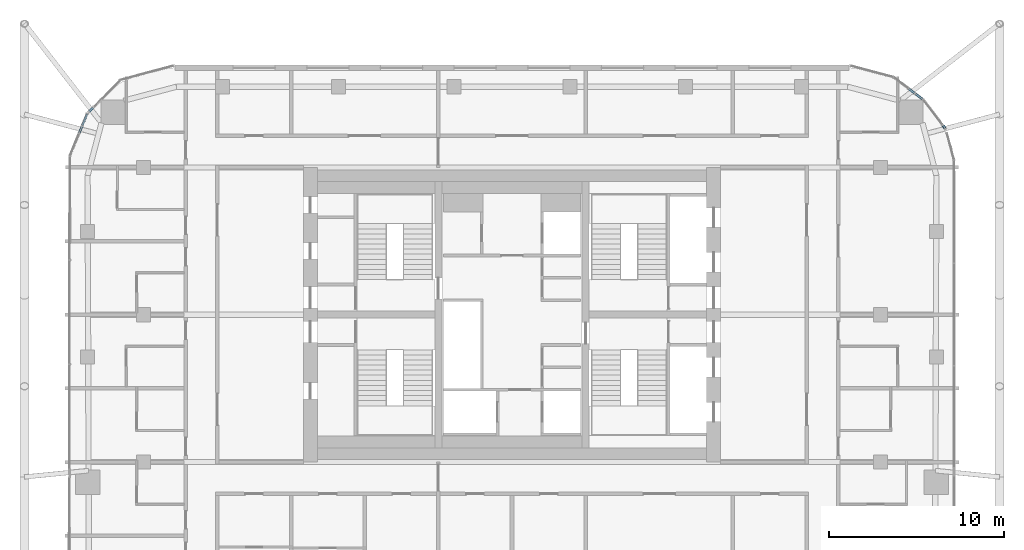
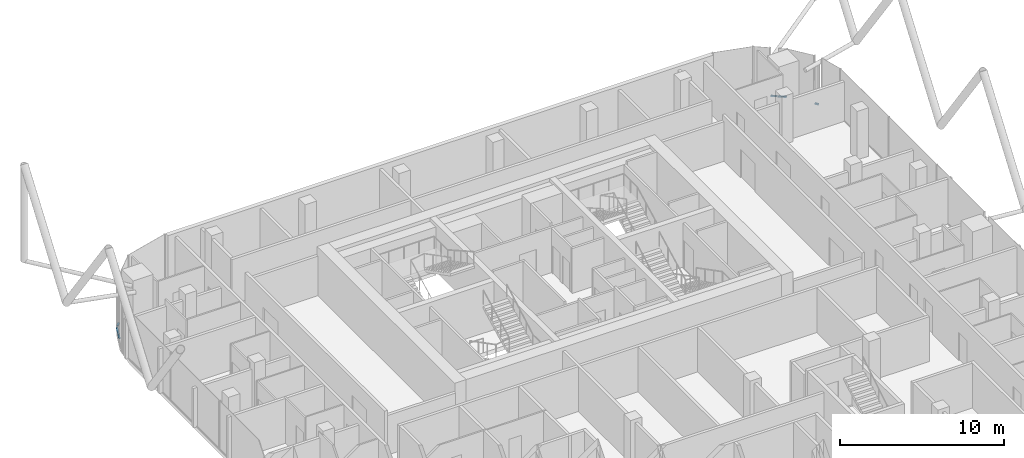
# One storey, part 13 of 31: 6 members, 6 elements without a shape of their own.
"""IFC4 building model written with IfcOpenShell, lengths in metres."""

from ifc_helpers import new_model, si_unit, direction, frame, origin, origin_2d, place, context, subcontext, project, spatial, rectangle, extrude, material, layer, layer_set, material_profile, profile_set, type_object, element, aggregate, save


model = new_model("IFC4")

# Units and contexts
model_context = context("Model", 3, precision=1e-05, world=origin(), true_north=direction((0.0, 1.0)))
body_context = subcontext(model_context, "Body", "Model", "MODEL_VIEW")
ifc_project = project(units=[si_unit("LENGTHUNIT", "METRE"), si_unit("AREAUNIT", "SQUARE_METRE"), si_unit("VOLUMEUNIT", "CUBIC_METRE"), si_unit("PLANEANGLEUNIT", "RADIAN"), si_unit("MASSUNIT", "GRAM", prefix="KILO")], contexts=[model_context])

# Site, building, storey
site_placement = place(None, origin())
site = spatial("IfcSite", under=ifc_project, at=site_placement, CompositionType="ELEMENT")
building_placement = place(site_placement, origin())
building = spatial("IfcBuilding", under=site, at=building_placement, Name="Marenta Gate Hotel Tower", CompositionType="ELEMENT")
storey_placement = place(building_placement, frame((0.0, 0.0, 191.300048828125)))
storey = spatial("IfcBuildingStorey", under=building, at=storey_placement, Name="L43", CompositionType="ELEMENT", Elevation=191.300048828125)

# Curtain wall, member
ifc_material_1 = material(Name="Tinted insulated glass in bronze anodised frame", Category="glass")
ifc_layer = layer(ifc_material_1, 0.1201171875)
ifc_layer_set = layer_set([ifc_layer], Name="Tinted insulated glass in bronze anodised frame")
curtain_wall_type = type_object("IfcCurtainWallType", Name="Tower unitised curtain wall CW1", PredefinedType="NOTDEFINED", material=ifc_layer_set)
curtain_wall_1_placement = place(storey_placement, origin())
curtain_wall_1 = element("IfcCurtainWall", 1, at=curtain_wall_1_placement, inside=storey, type_object=curtain_wall_type, Name="CW1 run G02", PredefinedType="NOTDEFINED")
ifc_material_2 = material(Name="Bronze anodised aluminium", Category="aluminium")
ifc_material_profile = material_profile(ifc_material_2, rectangle(XDim=0.1201171875, YDim=0.06005859375, at=origin_2d()), Name="Transom CW1 60x120 bronze anodised aluminium")
ifc_profile_set = profile_set([ifc_material_profile], Name="Bronze anodised aluminium")
member_type = type_object("IfcMemberType", Name="Transom CW1 60x120 bronze anodised aluminium", PredefinedType="USERDEFINED", material=ifc_profile_set)
member_1_placement = place(storey_placement, frame((-23.884521484375, 20.220458984375, 0.030029296875), z_axis=(-0.707106781187, -0.707106781187, 0.0), x_axis=(0.707106781187, -0.707106781187, 0.0)))
member_1 = element("IfcMember", 2, at=member_1_placement, type_object=member_type, Name="CW1 transom 1.1", ObjectType="TRANSOM", PredefinedType="USERDEFINED", context=body_context, shape_type="SweptSolid", body=[
    extrude(rectangle(XDim=0.1201171875, YDim=0.06005859375, at=origin_2d()), origin(), (0.0, 0.0, 1.0), 0.336669921875),
])
aggregate(curtain_wall_1, [member_1])

curtain_wall_2_placement = place(storey_placement, origin())
curtain_wall_2 = element("IfcCurtainWall", 3, at=curtain_wall_2_placement, inside=storey, type_object=curtain_wall_type, Name="CW1 run G03", PredefinedType="NOTDEFINED")
member_2_placement = place(storey_placement, frame((-24.2265625, 19.845947265625, 0.030029296875), z_axis=(-0.382706726502, -0.92386988342, 0.0), x_axis=(0.92386988342, -0.382706726502, 0.0)))
member_2 = element("IfcMember", 4, at=member_2_placement, type_object=member_type, Name="CW1 transom 1.1", ObjectType="TRANSOM", PredefinedType="USERDEFINED", context=body_context, shape_type="SweptSolid", body=[
    extrude(rectangle(XDim=0.1201171875, YDim=0.06005859375, at=origin_2d()), origin(), (0.0, 0.0, 1.0), 0.708740234375),
])
aggregate(curtain_wall_2, [member_2])

curtain_wall_3_placement = place(storey_placement, origin())
curtain_wall_3 = element("IfcCurtainWall", 5, at=curtain_wall_3_placement, inside=storey, type_object=curtain_wall_type, Name="CW1 run G04", PredefinedType="NOTDEFINED")
member_3_placement = place(storey_placement, frame((-24.520751953125, 19.1357421875, 0.030029296875), z_axis=(-0.382912686497, -0.923784539013, 0.0), x_axis=(0.923784539013, -0.382912686497, 0.0)))
member_3 = element("IfcMember", 6, at=member_3_placement, type_object=member_type, Name="CW1 transom 1.1", ObjectType="TRANSOM", PredefinedType="USERDEFINED", context=body_context, shape_type="SweptSolid", body=[
    extrude(rectangle(XDim=0.1201171875, YDim=0.06005859375, at=origin_2d()), origin(), (0.0, 0.0, 1.0), 0.397216796875),
])
aggregate(curtain_wall_3, [member_3])

curtain_wall_4_placement = place(storey_placement, origin())
curtain_wall_4 = element("IfcCurtainWall", 7, at=curtain_wall_4_placement, inside=storey, type_object=curtain_wall_type, Name="CW1 run G36", PredefinedType="NOTDEFINED")
member_4_placement = place(storey_placement, frame((24.69775390625, 19.030029296875, 0.030029296875), z_axis=(-0.60902605709, 0.793150213885, 0.0), x_axis=(-0.793150213885, -0.60902605709, 0.0)))
member_4 = element("IfcMember", 8, at=member_4_placement, type_object=member_type, Name="CW1 transom 1.1", ObjectType="TRANSOM", PredefinedType="USERDEFINED", context=body_context, shape_type="SweptSolid", body=[
    extrude(rectangle(XDim=0.1201171875, YDim=0.06005859375, at=origin_2d()), origin(), (0.0, 0.0, 1.0), 0.22412109375),
])
aggregate(curtain_wall_4, [member_4])

curtain_wall_5_placement = place(storey_placement, origin())
curtain_wall_5 = element("IfcCurtainWall", 9, at=curtain_wall_5_placement, inside=storey, type_object=curtain_wall_type, Name="CW1 run G38", PredefinedType="NOTDEFINED")
member_5_placement = place(storey_placement, frame((23.405029296875, 20.689208984375, 0.030029296875), z_axis=(-0.793396206785, 0.608705560233, 0.0), x_axis=(-0.608705560233, -0.793396206785, 0.0)))
member_5 = element("IfcMember", 10, at=member_5_placement, type_object=member_type, Name="CW1 transom 1.1", ObjectType="TRANSOM", PredefinedType="USERDEFINED", context=body_context, shape_type="SweptSolid", body=[
    extrude(rectangle(XDim=0.1201171875, YDim=0.06005859375, at=origin_2d()), origin(), (0.0, 0.0, 1.0), 0.5048828125),
])
aggregate(curtain_wall_5, [member_5])

curtain_wall_6_placement = place(storey_placement, origin())
curtain_wall_6 = element("IfcCurtainWall", 11, at=curtain_wall_6_placement, inside=storey, type_object=curtain_wall_type, Name="CW1 run G39", PredefinedType="NOTDEFINED")
member_6_placement = place(storey_placement, frame((22.956787109375, 21.033203125, 0.030029296875), z_axis=(-0.793423480353, 0.608670009796, 0.0), x_axis=(-0.608670009796, -0.793423480353, 0.0)))
member_6 = element("IfcMember", 12, at=member_6_placement, type_object=member_type, Name="CW1 transom 1.1", ObjectType="TRANSOM", PredefinedType="USERDEFINED", context=body_context, shape_type="SweptSolid", body=[
    extrude(rectangle(XDim=0.1201171875, YDim=0.06005859375, at=origin_2d()), origin(), (0.0, 0.0, 1.0), 0.408203125),
])
aggregate(curtain_wall_6, [member_6])

save(model, "model.ifc")
